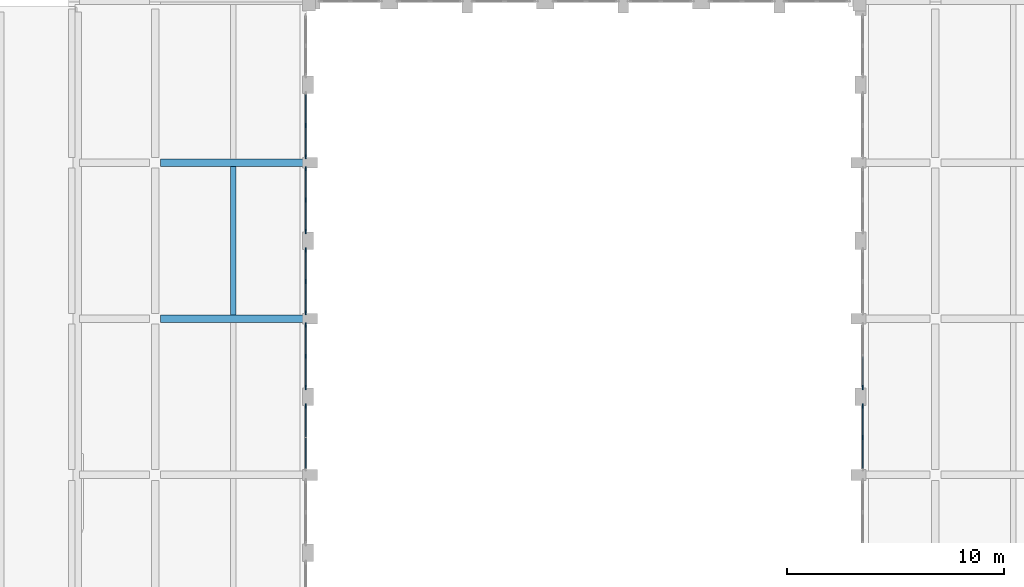
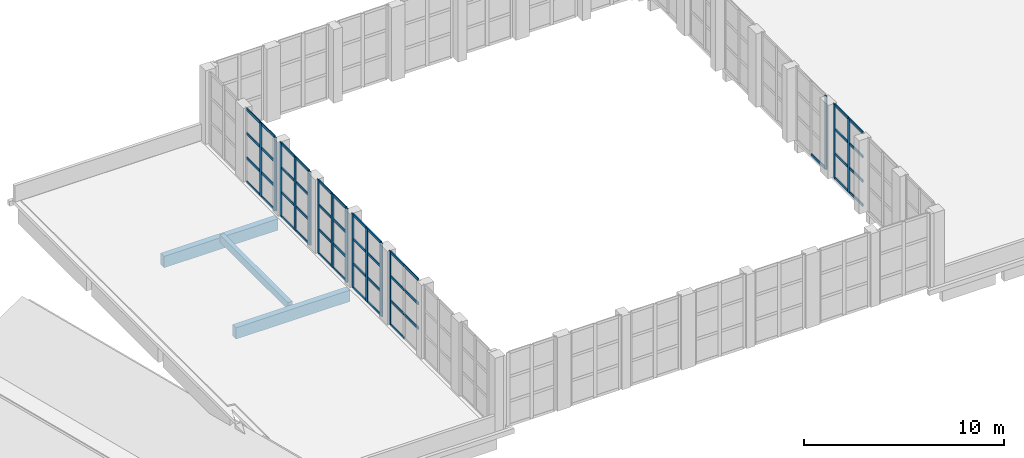
# One storey, part 4 of 44: 63 members, 3 beams, 7 elements without a shape of their own.
"""IFC4 building model written with IfcOpenShell, lengths in metres."""

import ifcopenshell
import ifcopenshell.guid

model = None  # the IFC model being written
_history = None  # IfcOwnerHistory: only IFC2X3 demands one
_inside = {}  # id of a spatial element -> (the spatial element, [elements in it])
_under = {}  # id of a project, library or spatial element -> (it, [spatial elements below it])
_declared = {}  # id of a project -> (the project, [libraries it declares])
_typed = {}  # id of a type object -> (the type object, [elements of that type])
_made_of = {}  # id of a material, layer set ... -> (it, [elements and type objects made of it])


def new_model(schema):
    """Start an empty IFC model of exactly this schema.

    Asked for "IFC4X3", IfcOpenShell would pick the latest addendum, in which some entities
    have other attributes; the version numbers below select the first issue.
    IFC2X3 requires an IfcOwnerHistory on every rooted entity: one is made here for all.
    """
    global model, _history
    if schema == "IFC4X3":
        model = ifcopenshell.file(schema_version=(4, 3, 0, 0))
    else:
        model = ifcopenshell.file(schema=schema)
    _inside.clear()
    _under.clear()
    _declared.clear()
    _typed.clear()
    _made_of.clear()
    _history = None
    if model.schema == "IFC2X3":
        org = make("IfcOrganization", Name="unknown")
        user = make(
            "IfcPersonAndOrganization",
            ThePerson=make("IfcPerson", FamilyName="unknown"),
            TheOrganization=org,
        )
        app = make(
            "IfcApplication",
            ApplicationDeveloper=org,
            Version="unknown",
            ApplicationFullName="unknown",
            ApplicationIdentifier="unknown",
        )
        _history = make(
            "IfcOwnerHistory",
            OwningUser=user,
            OwningApplication=app,
            ChangeAction="ADDED",
            CreationDate=0,
        )
    return model


def make(cls, **values):
    """One entity of the class cls with the attributes given. An attribute that is None is left unset."""
    return model.create_entity(
        cls, **{name: value for name, value in values.items() if value is not None}
    )


def rooted(cls, **values):
    """An entity with a GlobalId (a new one), such as an element, a storey or a relation."""
    return make(cls, GlobalId=ifcopenshell.guid.new(), OwnerHistory=_history, **values)


def si_unit(unit_type, name, prefix=None):
    """IfcSIUnit, for example si_unit("LENGTHUNIT", "METRE", prefix="MILLI")."""
    return make("IfcSIUnit", UnitType=unit_type, Prefix=prefix, Name=name)


def assignment(units):
    """IfcUnitAssignment: the units of a project."""
    return None if units is None else make("IfcUnitAssignment", Units=units)


def point(xyz):
    """IfcCartesianPoint."""
    return None if xyz is None else make("IfcCartesianPoint", Coordinates=xyz)


def direction(xyz):
    """IfcDirection."""
    return None if xyz is None else make("IfcDirection", DirectionRatios=xyz)


def frame(location, z_axis=None, x_axis=None):
    """IfcAxis2Placement3D, a coordinate frame: its origin and axes. An axis left out is left unset."""
    return make(
        "IfcAxis2Placement3D",
        Location=point(location),
        Axis=direction(z_axis),
        RefDirection=direction(x_axis),
    )


def frame_2d(location, x_axis=None):
    """IfcAxis2Placement2D, a coordinate frame in the plane: its origin and x axis."""
    return make(
        "IfcAxis2Placement2D", Location=point(location), RefDirection=direction(x_axis)
    )


def origin():
    """The frame at (0, 0, 0) with its axes left unset."""
    return frame((0.0, 0.0, 0.0))


def origin_2d():
    """The frame at (0, 0) in the plane with its x axis left unset."""
    return frame_2d((0.0, 0.0))


def place(relative_to, where):
    """IfcLocalPlacement: puts the frame where relative to a parent placement (None: the world)."""
    return make(
        "IfcLocalPlacement", PlacementRelTo=relative_to, RelativePlacement=where
    )


def context(
    kind, dimensions, precision=None, world=None, true_north=None, identifier=None
):
    """IfcGeometricRepresentationContext, for example the 3D "Model" context."""
    return make(
        "IfcGeometricRepresentationContext",
        ContextIdentifier=identifier,
        ContextType=kind,
        CoordinateSpaceDimension=dimensions,
        Precision=precision,
        WorldCoordinateSystem=world,
        TrueNorth=true_north,
    )


def subcontext(parent, identifier, kind, view, scale=None):
    """IfcGeometricRepresentationSubContext, for example "Body" below "Model"."""
    return make(
        "IfcGeometricRepresentationSubContext",
        ContextIdentifier=identifier,
        ContextType=kind,
        ParentContext=parent,
        TargetScale=scale,
        TargetView=view,
    )


def project(units=None, contexts=None):
    """IfcProject with its units and contexts."""
    return rooted(
        "IfcProject",
        Name="project",
        RepresentationContexts=contexts,
        UnitsInContext=assignment(units),
    )


def spatial(cls, under=None, at=None, **own):
    """A site, building, storey or space (cls), placed at a placement, below another one or the project."""
    s = rooted(cls, ObjectPlacement=at, **own)
    if under is not None:
        _under.setdefault(under.id(), (under, []))[1].append(s)
    return s


def profile(cls, at=None, kind="AREA", **sizes):
    """A parametric profile (cls). Its sizes go by their IFC names, for example OverallWidth=200.0."""
    return make(cls, ProfileType=kind, Position=at, **sizes)


def rectangle(**sizes):
    """IfcRectangleProfileDef."""
    return profile("IfcRectangleProfileDef", **sizes)


def extrude(swept, where, along, depth):
    """IfcExtrudedAreaSolid: the profile swept, set in the frame where, extruded along a direction by depth."""
    return make(
        "IfcExtrudedAreaSolid",
        SweptArea=swept,
        Position=where,
        ExtrudedDirection=direction(along),
        Depth=depth,
    )


def shape(context_of_items, identifier, shape_type, items):
    """IfcShapeRepresentation: the items that make up one representation, for example the "Body"."""
    return make(
        "IfcShapeRepresentation",
        ContextOfItems=context_of_items,
        RepresentationIdentifier=identifier,
        RepresentationType=shape_type,
        Items=items,
    )


def material(Name=None, Category=None):
    """IfcMaterial."""
    return make("IfcMaterial", Name=Name, Category=Category)


def layer(
    of_material, thickness, ventilated=None, Name=None, Category=None, Priority=None
):
    """IfcMaterialLayer: one layer of a wall or slab, of a material (None: an air gap)."""
    return make(
        "IfcMaterialLayer",
        Material=of_material,
        LayerThickness=thickness,
        IsVentilated=ventilated,
        Name=Name,
        Category=Category,
        Priority=Priority,
    )


def layer_set(layers, Name=None):
    """IfcMaterialLayerSet."""
    return make("IfcMaterialLayerSet", MaterialLayers=layers, LayerSetName=Name)


def material_profile(
    of_material, cross_section, Name=None, Category=None, Priority=None
):
    """IfcMaterialProfile: a cross section and its material."""
    return make(
        "IfcMaterialProfile",
        Name=Name,
        Material=of_material,
        Profile=cross_section,
        Priority=Priority,
        Category=Category,
    )


def profile_set(profiles, Name=None, composite=None):
    """IfcMaterialProfileSet."""
    return make(
        "IfcMaterialProfileSet",
        Name=Name,
        MaterialProfiles=profiles,
        CompositeProfile=composite,
    )


def made_of(thing, what):
    """Note that an element or type object is made of a material, layer set ...; save() writes the relation."""
    if what is not None:
        _made_of.setdefault(what.id(), (what, []))[1].append(thing)
    return thing


def type_object(cls, material=None, **own):
    """A type object (cls), such as IfcWallType, which elements share."""
    return made_of(rooted(cls, **own), material)


def element(
    cls,
    number,
    at=None,
    inside=None,
    cuts=None,
    type_object=None,
    material=None,
    context=None,
    identifier="Body",
    shape_type=None,
    held_by="IfcProductDefinitionShape",
    body=None,
    shapes=None,
    **own,
):
    """One element of the class cls, such as IfcWall. Its Tag is "e" and its number.

    at: its placement. inside: the storey or other place that contains it. cuts: it is an
    opening in that element (IfcRelVoidsElement). A single representation is given by context,
    identifier, shape_type and body (its items); several are given by shapes. held_by: the class
    of the entity that holds the representations. save() writes the other relations.
    """
    e = rooted(cls, Tag="e%d" % number, ObjectPlacement=at, **own)
    if body is not None:
        shapes = [shape(context, identifier, shape_type, body)]
    if shapes is not None:
        e.Representation = make(held_by, Representations=shapes)
    if inside is not None:
        _inside.setdefault(inside.id(), (inside, []))[1].append(e)
    if cuts is not None:
        rooted(
            "IfcRelVoidsElement", RelatingBuildingElement=cuts, RelatedOpeningElement=e
        )
    if type_object is not None:
        _typed.setdefault(type_object.id(), (type_object, []))[1].append(e)
    return made_of(e, material)


def aggregate(whole, parts):
    """IfcRelAggregates: a whole, such as a stair, and the parts it consists of."""
    return rooted("IfcRelAggregates", RelatingObject=whole, RelatedObjects=parts)


def save(model, path):
    """Write the relations noted so far, then the file.

    IfcRelAggregates (storeys below a building ...), IfcRelContainedInSpatialStructure (elements
    in a storey), IfcRelDefinesByType, IfcRelAssociatesMaterial and IfcRelDeclares: one each for
    every whole, place, type object, material and project.
    """
    for whole, parts in _under.values():
        aggregate(whole, parts)
    for where, things in _inside.values():
        rooted(
            "IfcRelContainedInSpatialStructure",
            RelatedElements=things,
            RelatingStructure=where,
        )
    for kind, things in _typed.values():
        rooted("IfcRelDefinesByType", RelatedObjects=things, RelatingType=kind)
    for what, things in _made_of.values():
        rooted("IfcRelAssociatesMaterial", RelatedObjects=things, RelatingMaterial=what)
    for by, libraries in _declared.values():
        rooted("IfcRelDeclares", RelatingContext=by, RelatedDefinitions=libraries)
    model.write(path)


model = new_model("IFC4")

# Units and contexts
model_context = context("Model", 3, precision=1e-05, world=origin(), true_north=direction((0.0, 1.0)))
body_context = subcontext(model_context, "Body", "Model", "MODEL_VIEW")
ifc_project = project(units=[si_unit("LENGTHUNIT", "METRE"), si_unit("AREAUNIT", "SQUARE_METRE"), si_unit("VOLUMEUNIT", "CUBIC_METRE"), si_unit("PLANEANGLEUNIT", "RADIAN"), si_unit("MASSUNIT", "GRAM", prefix="KILO")], contexts=[model_context])

# Site, building, storey
site_placement = place(None, origin())
site = spatial("IfcSite", under=ifc_project, at=site_placement, CompositionType="ELEMENT")
building_placement = place(site_placement, origin())
building = spatial("IfcBuilding", under=site, at=building_placement, Name="Ussher Court Research Institute", CompositionType="ELEMENT")
storey_placement = place(building_placement, frame((0.0, 0.0, 18.89990234375)))
storey = spatial("IfcBuildingStorey", under=building, at=storey_placement, Name="L04", CompositionType="ELEMENT", Elevation=18.89990234375)

# Curtain wall, member
ifc_material_1 = material(Name="Bronze anodised aluminium with low-e glass", Category="aluminium")
ifc_layer = layer(ifc_material_1, 0.159912109375)
ifc_layer_set = layer_set([ifc_layer], Name="Bronze anodised aluminium with low-e glass")
curtain_wall_type = type_object("IfcCurtainWallType", Name="Curtain wall atrium clerestory tall glazing", PredefinedType="NOTDEFINED", material=ifc_layer_set)
curtain_wall_1_placement = place(storey_placement, origin())
curtain_wall_1 = element("IfcCurtainWall", 1, at=curtain_wall_1_placement, inside=storey, type_object=curtain_wall_type, Name="Curtain wall CW3 L04", PredefinedType="NOTDEFINED")
ifc_material_2 = material(Name="Bronze anodised aluminium", Category="aluminium")
ifc_material_profile_1 = material_profile(ifc_material_2, rectangle(XDim=0.06005859375, YDim=0.199951171875, at=origin_2d()), Name="Mullion 60x200")
ifc_profile_set_1 = profile_set([ifc_material_profile_1], Name="Bronze anodised aluminium")
member_type_1 = type_object("IfcMemberType", Name="Mullion 60x200", PredefinedType="MULLION", material=ifc_profile_set_1)
member_1_placement = place(storey_placement, frame((64.449951171875, 22.429931640625, 0.0), z_axis=(0.0, 0.0, 1.0), x_axis=(1.0, 0.0, 0.0)))
member_1 = element("IfcMember", 2, at=member_1_placement, type_object=member_type_1, Name="CW3 mullion 3", PredefinedType="MULLION", context=body_context, shape_type="SweptSolid", body=[
    extrude(rectangle(XDim=0.06005859375, YDim=0.199951171875, at=origin_2d()), origin(), (0.0, 0.0, 1.0), 4.5),
])

# Curtain wall, members
curtain_wall_2_placement = place(storey_placement, origin())
curtain_wall_2 = element("IfcCurtainWall", 3, at=curtain_wall_2_placement, inside=storey, type_object=curtain_wall_type, Name="Curtain wall CW3 L04", PredefinedType="NOTDEFINED")
member_2_placement = place(storey_placement, frame((64.449951171875, 21.570068359375, 0.0), z_axis=(0.0, 0.0, 1.0), x_axis=(1.0, 0.0, 0.0)))
member_2 = element("IfcMember", 4, at=member_2_placement, type_object=member_type_1, Name="CW3 mullion 1", PredefinedType="MULLION", context=body_context, shape_type="SweptSolid", body=[
    extrude(rectangle(XDim=0.06005859375, YDim=0.199951171875, at=origin_2d()), origin(), (0.0, 0.0, 1.0), 4.5),
])
member_3_placement = place(storey_placement, frame((64.449951171875, 20.125, 0.0), z_axis=(0.0, 0.0, 1.0), x_axis=(1.0, 0.0, 0.0)))
member_3 = element("IfcMember", 5, at=member_3_placement, type_object=member_type_1, Name="CW3 mullion 2", PredefinedType="MULLION", context=body_context, shape_type="SweptSolid", body=[
    extrude(rectangle(XDim=0.06005859375, YDim=0.199951171875, at=origin_2d()), origin(), (0.0, 0.0, 1.0), 4.5),
])

# Curtain wall, member
curtain_wall_3_placement = place(storey_placement, origin())
curtain_wall_3 = element("IfcCurtainWall", 6, at=curtain_wall_3_placement, inside=storey, type_object=curtain_wall_type, Name="Curtain wall CW3 L04", PredefinedType="NOTDEFINED")
member_4_placement = place(storey_placement, frame((38.75, 21.570068359375, 0.0), z_axis=(0.0, 0.0, 1.0), x_axis=(-1.0, 0.0, 0.0)))
member_4 = element("IfcMember", 7, at=member_4_placement, type_object=member_type_1, Name="CW3 mullion 3", PredefinedType="MULLION", context=body_context, shape_type="SweptSolid", body=[
    extrude(rectangle(XDim=0.06005859375, YDim=0.199951171875, at=origin_2d()), origin(), (0.0, 0.0, 1.0), 4.5),
])

# Curtain wall, members
curtain_wall_4_placement = place(storey_placement, origin())
curtain_wall_4 = element("IfcCurtainWall", 8, at=curtain_wall_4_placement, inside=storey, type_object=curtain_wall_type, Name="Curtain wall CW3 L04", PredefinedType="NOTDEFINED")
member_5_placement = place(storey_placement, frame((38.75, 22.429931640625, 0.0), z_axis=(0.0, 0.0, 1.0), x_axis=(-1.0, 0.0, 0.0)))
member_5 = element("IfcMember", 9, at=member_5_placement, type_object=member_type_1, Name="CW3 mullion 1", PredefinedType="MULLION", context=body_context, shape_type="SweptSolid", body=[
    extrude(rectangle(XDim=0.06005859375, YDim=0.199951171875, at=origin_2d()), origin(), (0.0, 0.0, 1.0), 4.5),
])
member_6_placement = place(storey_placement, frame((38.75, 23.875, 0.0), z_axis=(0.0, 0.0, 1.0), x_axis=(-1.0, 0.0, 0.0)))
member_6 = element("IfcMember", 10, at=member_6_placement, type_object=member_type_1, Name="CW3 mullion 2", PredefinedType="MULLION", context=body_context, shape_type="SweptSolid", body=[
    extrude(rectangle(XDim=0.06005859375, YDim=0.199951171875, at=origin_2d()), origin(), (0.0, 0.0, 1.0), 4.5),
])
member_7_placement = place(storey_placement, frame((38.75, 25.320068359375, 0.0), z_axis=(0.0, 0.0, 1.0), x_axis=(-1.0, 0.0, 0.0)))
member_7 = element("IfcMember", 11, at=member_7_placement, type_object=member_type_1, Name="CW3 mullion 3", PredefinedType="MULLION", context=body_context, shape_type="SweptSolid", body=[
    extrude(rectangle(XDim=0.06005859375, YDim=0.199951171875, at=origin_2d()), origin(), (0.0, 0.0, 1.0), 4.5),
])

curtain_wall_5_placement = place(storey_placement, origin())
curtain_wall_5 = element("IfcCurtainWall", 12, at=curtain_wall_5_placement, inside=storey, type_object=curtain_wall_type, Name="Curtain wall CW3 L04", PredefinedType="NOTDEFINED")
member_8_placement = place(storey_placement, frame((38.75, 25.8798828125, 0.0), z_axis=(0.0, 0.0, 1.0), x_axis=(-1.0, 0.0, 0.0)))
member_8 = element("IfcMember", 13, at=member_8_placement, type_object=member_type_1, Name="CW3 mullion 1", PredefinedType="MULLION", context=body_context, shape_type="SweptSolid", body=[
    extrude(rectangle(XDim=0.06005859375, YDim=0.199951171875, at=origin_2d()), origin(), (0.0, 0.0, 1.0), 4.5),
])
member_9_placement = place(storey_placement, frame((38.75, 27.324951171875, 0.0), z_axis=(0.0, 0.0, 1.0), x_axis=(-1.0, 0.0, 0.0)))
member_9 = element("IfcMember", 14, at=member_9_placement, type_object=member_type_1, Name="CW3 mullion 2", PredefinedType="MULLION", context=body_context, shape_type="SweptSolid", body=[
    extrude(rectangle(XDim=0.06005859375, YDim=0.199951171875, at=origin_2d()), origin(), (0.0, 0.0, 1.0), 4.5),
])
member_10_placement = place(storey_placement, frame((38.75, 28.77001953125, 0.0), z_axis=(0.0, 0.0, 1.0), x_axis=(-1.0, 0.0, 0.0)))
member_10 = element("IfcMember", 15, at=member_10_placement, type_object=member_type_1, Name="CW3 mullion 3", PredefinedType="MULLION", context=body_context, shape_type="SweptSolid", body=[
    extrude(rectangle(XDim=0.06005859375, YDim=0.199951171875, at=origin_2d()), origin(), (0.0, 0.0, 1.0), 4.5),
])

curtain_wall_6_placement = place(storey_placement, origin())
curtain_wall_6 = element("IfcCurtainWall", 16, at=curtain_wall_6_placement, inside=storey, type_object=curtain_wall_type, Name="Curtain wall CW3 L04", PredefinedType="NOTDEFINED")
member_11_placement = place(storey_placement, frame((38.75, 29.6298828125, 0.0), z_axis=(0.0, 0.0, 1.0), x_axis=(-1.0, 0.0, 0.0)))
member_11 = element("IfcMember", 17, at=member_11_placement, type_object=member_type_1, Name="CW3 mullion 1", PredefinedType="MULLION", context=body_context, shape_type="SweptSolid", body=[
    extrude(rectangle(XDim=0.06005859375, YDim=0.199951171875, at=origin_2d()), origin(), (0.0, 0.0, 1.0), 4.5),
])
member_12_placement = place(storey_placement, frame((38.75, 31.074951171875, 0.0), z_axis=(0.0, 0.0, 1.0), x_axis=(-1.0, 0.0, 0.0)))
member_12 = element("IfcMember", 18, at=member_12_placement, type_object=member_type_1, Name="CW3 mullion 2", PredefinedType="MULLION", context=body_context, shape_type="SweptSolid", body=[
    extrude(rectangle(XDim=0.06005859375, YDim=0.199951171875, at=origin_2d()), origin(), (0.0, 0.0, 1.0), 4.5),
])
member_13_placement = place(storey_placement, frame((38.75, 32.52001953125, 0.0), z_axis=(0.0, 0.0, 1.0), x_axis=(-1.0, 0.0, 0.0)))
member_13 = element("IfcMember", 19, at=member_13_placement, type_object=member_type_1, Name="CW3 mullion 3", PredefinedType="MULLION", context=body_context, shape_type="SweptSolid", body=[
    extrude(rectangle(XDim=0.06005859375, YDim=0.199951171875, at=origin_2d()), origin(), (0.0, 0.0, 1.0), 4.5),
])

curtain_wall_7_placement = place(storey_placement, origin())
curtain_wall_7 = element("IfcCurtainWall", 20, at=curtain_wall_7_placement, inside=storey, type_object=curtain_wall_type, Name="Curtain wall CW3 L04", PredefinedType="NOTDEFINED")
member_14_placement = place(storey_placement, frame((38.75, 33.080078125, 0.0), z_axis=(0.0, 0.0, 1.0), x_axis=(-1.0, 0.0, 0.0)))
member_14 = element("IfcMember", 21, at=member_14_placement, type_object=member_type_1, Name="CW3 mullion 1", PredefinedType="MULLION", context=body_context, shape_type="SweptSolid", body=[
    extrude(rectangle(XDim=0.06005859375, YDim=0.199951171875, at=origin_2d()), origin(), (0.0, 0.0, 1.0), 4.5),
])
member_15_placement = place(storey_placement, frame((38.75, 34.52490234375, 0.0), z_axis=(0.0, 0.0, 1.0), x_axis=(-1.0, 0.0, 0.0)))
member_15 = element("IfcMember", 22, at=member_15_placement, type_object=member_type_1, Name="CW3 mullion 2", PredefinedType="MULLION", context=body_context, shape_type="SweptSolid", body=[
    extrude(rectangle(XDim=0.06005859375, YDim=0.199951171875, at=origin_2d()), origin(), (0.0, 0.0, 1.0), 4.5),
])

# Beams
ifc_material_3 = material(Name="Concrete C35/45", Category="concrete")
ifc_material_profile_2 = material_profile(ifc_material_3, rectangle(XDim=0.25, YDim=0.449951171875, at=origin_2d()), Name="RC 250x450")
ifc_profile_set_2 = profile_set([ifc_material_profile_2], Name="Concrete C35/45")
beam_type_1 = type_object("IfcBeamType", Name="RC 250x450 beam", PredefinedType="BEAM", material=ifc_profile_set_2)
beam_placement = place(storey_placement, frame((35.39990234375, 25.77490234375, -0.224853515625), z_axis=(0.0, 1.0, 0.0), x_axis=(-1.0, 0.0, 0.0)))
element("IfcBeam", 23, at=beam_placement, inside=storey, type_object=beam_type_1, Name="B1 V7 L04-03", PredefinedType="BEAM", context=body_context, shape_type="SweptSolid", body=[
    extrude(rectangle(XDim=0.25, YDim=0.449951171875, at=origin_2d()), origin(), (0.0, 0.0, 1.0), 6.85009765625),
])
ifc_material_4 = material(Name="Concrete C35/45", Category="concrete")
ifc_material_profile_3 = material_profile(ifc_material_4, rectangle(XDim=0.35009765625, YDim=0.699951171875, at=origin_2d()), Name="RC 350x700")
ifc_profile_set_3 = profile_set([ifc_material_profile_3], Name="Concrete C35/45")
beam_type_2 = type_object("IfcBeamType", Name="RC 350x700 beam", PredefinedType="BEAM", material=ifc_profile_set_3)
for number, where, z_axis, x_axis, name in (
    (24, (32.050048828125, 25.60009765625, -0.5498046875), (1.0, 0.0, 0.0), (0.0, 1.0, 0.0), "B16 V7 L04-07"),
    (25, (32.050048828125, 32.800048828125, -0.5498046875), (1.0, 0.0, 0.0), (0.0, 1.0, 0.0), "B16 V7 L04-12"),
):
    element("IfcBeam", number, at=place(storey_placement, frame(where, z_axis=z_axis, x_axis=x_axis)), inside=storey, type_object=beam_type_2, Name=name, PredefinedType="BEAM", context=body_context, shape_type="SweptSolid", body=[
        extrude(rectangle(XDim=0.35009765625, YDim=0.699951171875, at=origin_2d()), origin(), (0.0, 0.0, 1.0), 6.599853515625),
    ])

# Member
ifc_material_5 = material(Name="Bronze anodised aluminium", Category="aluminium")
ifc_material_profile_4 = material_profile(ifc_material_5, rectangle(XDim=0.06005859375, YDim=0.159912109375, at=origin_2d()), Name="Transom 60x160")
ifc_profile_set_4 = profile_set([ifc_material_profile_4], Name="Bronze anodised aluminium")
member_type_2 = type_object("IfcMemberType", Name="Transom 60x160", PredefinedType="USERDEFINED", material=ifc_profile_set_4)
member_16_placement = place(storey_placement, frame((64.449951171875, 23.844970703125, 0.030029296875), z_axis=(0.0, -1.0, 0.0), x_axis=(1.0, 0.0, 0.0)))
member_16 = element("IfcMember", 26, at=member_16_placement, type_object=member_type_2, Name="CW3 transom 2.1", ObjectType="TRANSOM", PredefinedType="USERDEFINED", context=body_context, shape_type="SweptSolid", body=[
    extrude(rectangle(XDim=0.06005859375, YDim=0.159912109375, at=origin_2d()), origin(), (0.0, 0.0, 1.0), 1.385009765625),
])

aggregate(curtain_wall_1, [member_1, member_16])

member_17_placement = place(storey_placement, frame((64.449951171875, 21.5400390625, 0.030029296875), z_axis=(0.0, -1.0, 0.0), x_axis=(1.0, 0.0, 0.0)))
member_17 = element("IfcMember", 27, at=member_17_placement, type_object=member_type_2, Name="CW3 transom 1.1", ObjectType="TRANSOM", PredefinedType="USERDEFINED", context=body_context, shape_type="SweptSolid", body=[
    extrude(rectangle(XDim=0.06005859375, YDim=0.159912109375, at=origin_2d()), origin(), (0.0, 0.0, 1.0), 1.385009765625),
])

member_18_placement = place(storey_placement, frame((64.449951171875, 21.5400390625, 1.5), z_axis=(0.0, -1.0, 0.0), x_axis=(1.0, 0.0, 0.0)))
member_18 = element("IfcMember", 28, at=member_18_placement, type_object=member_type_2, Name="CW3 transom 1.2", ObjectType="TRANSOM", PredefinedType="USERDEFINED", context=body_context, shape_type="SweptSolid", body=[
    extrude(rectangle(XDim=0.06005859375, YDim=0.159912109375, at=origin_2d()), origin(), (0.0, 0.0, 1.0), 1.385009765625),
])

member_19_placement = place(storey_placement, frame((64.449951171875, 21.5400390625, 3.0), z_axis=(0.0, -1.0, 0.0), x_axis=(1.0, 0.0, 0.0)))
member_19 = element("IfcMember", 29, at=member_19_placement, type_object=member_type_2, Name="CW3 transom 1.3", ObjectType="TRANSOM", PredefinedType="USERDEFINED", context=body_context, shape_type="SweptSolid", body=[
    extrude(rectangle(XDim=0.06005859375, YDim=0.159912109375, at=origin_2d()), origin(), (0.0, 0.0, 1.0), 1.385009765625),
])

member_20_placement = place(storey_placement, frame((64.449951171875, 21.5400390625, 4.47021484375), z_axis=(0.0, -1.0, 0.0), x_axis=(1.0, 0.0, 0.0)))
member_20 = element("IfcMember", 30, at=member_20_placement, type_object=member_type_2, Name="CW3 transom 1.4", ObjectType="TRANSOM", PredefinedType="USERDEFINED", context=body_context, shape_type="SweptSolid", body=[
    extrude(rectangle(XDim=0.06005859375, YDim=0.159912109375, at=origin_2d()), origin(), (0.0, 0.0, 1.0), 1.385009765625),
])

member_21_placement = place(storey_placement, frame((64.449951171875, 20.094970703125, 0.030029296875), z_axis=(0.0, -1.0, 0.0), x_axis=(1.0, 0.0, 0.0)))
member_21 = element("IfcMember", 31, at=member_21_placement, type_object=member_type_2, Name="CW3 transom 2.1", ObjectType="TRANSOM", PredefinedType="USERDEFINED", context=body_context, shape_type="SweptSolid", body=[
    extrude(rectangle(XDim=0.06005859375, YDim=0.159912109375, at=origin_2d()), origin(), (0.0, 0.0, 1.0), 1.385009765625),
])

member_22_placement = place(storey_placement, frame((64.449951171875, 20.094970703125, 1.5), z_axis=(0.0, -1.0, 0.0), x_axis=(1.0, 0.0, 0.0)))
member_22 = element("IfcMember", 32, at=member_22_placement, type_object=member_type_2, Name="CW3 transom 2.2", ObjectType="TRANSOM", PredefinedType="USERDEFINED", context=body_context, shape_type="SweptSolid", body=[
    extrude(rectangle(XDim=0.06005859375, YDim=0.159912109375, at=origin_2d()), origin(), (0.0, 0.0, 1.0), 1.385009765625),
])

member_23_placement = place(storey_placement, frame((64.449951171875, 20.094970703125, 3.0), z_axis=(0.0, -1.0, 0.0), x_axis=(1.0, 0.0, 0.0)))
member_23 = element("IfcMember", 33, at=member_23_placement, type_object=member_type_2, Name="CW3 transom 2.3", ObjectType="TRANSOM", PredefinedType="USERDEFINED", context=body_context, shape_type="SweptSolid", body=[
    extrude(rectangle(XDim=0.06005859375, YDim=0.159912109375, at=origin_2d()), origin(), (0.0, 0.0, 1.0), 1.385009765625),
])

member_24_placement = place(storey_placement, frame((64.449951171875, 20.094970703125, 4.47021484375), z_axis=(0.0, -1.0, 0.0), x_axis=(1.0, 0.0, 0.0)))
member_24 = element("IfcMember", 34, at=member_24_placement, type_object=member_type_2, Name="CW3 transom 2.4", ObjectType="TRANSOM", PredefinedType="USERDEFINED", context=body_context, shape_type="SweptSolid", body=[
    extrude(rectangle(XDim=0.06005859375, YDim=0.159912109375, at=origin_2d()), origin(), (0.0, 0.0, 1.0), 1.385009765625),
])

aggregate(curtain_wall_2, [member_2, member_3, member_17, member_18, member_19, member_20, member_21, member_22, member_23, member_24])

member_25_placement = place(storey_placement, frame((38.75, 18.7099609375, 1.5), z_axis=(0.0, 1.0, 0.0), x_axis=(-1.0, 0.0, 0.0)))
member_25 = element("IfcMember", 35, at=member_25_placement, type_object=member_type_2, Name="CW3 transom 1.2", ObjectType="TRANSOM", PredefinedType="USERDEFINED", context=body_context, shape_type="SweptSolid", body=[
    extrude(rectangle(XDim=0.06005859375, YDim=0.159912109375, at=origin_2d()), origin(), (0.0, 0.0, 1.0), 1.385009765625),
])

member_26_placement = place(storey_placement, frame((38.75, 18.7099609375, 3.0), z_axis=(0.0, 1.0, 0.0), x_axis=(-1.0, 0.0, 0.0)))
member_26 = element("IfcMember", 36, at=member_26_placement, type_object=member_type_2, Name="CW3 transom 1.3", ObjectType="TRANSOM", PredefinedType="USERDEFINED", context=body_context, shape_type="SweptSolid", body=[
    extrude(rectangle(XDim=0.06005859375, YDim=0.159912109375, at=origin_2d()), origin(), (0.0, 0.0, 1.0), 1.385009765625),
])

member_27_placement = place(storey_placement, frame((38.75, 18.7099609375, 4.47021484375), z_axis=(0.0, 1.0, 0.0), x_axis=(-1.0, 0.0, 0.0)))
member_27 = element("IfcMember", 37, at=member_27_placement, type_object=member_type_2, Name="CW3 transom 1.4", ObjectType="TRANSOM", PredefinedType="USERDEFINED", context=body_context, shape_type="SweptSolid", body=[
    extrude(rectangle(XDim=0.06005859375, YDim=0.159912109375, at=origin_2d()), origin(), (0.0, 0.0, 1.0), 1.385009765625),
])

member_28_placement = place(storey_placement, frame((38.75, 20.155029296875, 0.030029296875), z_axis=(0.0, 1.0, 0.0), x_axis=(-1.0, 0.0, 0.0)))
member_28 = element("IfcMember", 38, at=member_28_placement, type_object=member_type_2, Name="CW3 transom 2.1", ObjectType="TRANSOM", PredefinedType="USERDEFINED", context=body_context, shape_type="SweptSolid", body=[
    extrude(rectangle(XDim=0.06005859375, YDim=0.159912109375, at=origin_2d()), origin(), (0.0, 0.0, 1.0), 1.385009765625),
])

member_29_placement = place(storey_placement, frame((38.75, 20.155029296875, 1.5), z_axis=(0.0, 1.0, 0.0), x_axis=(-1.0, 0.0, 0.0)))
member_29 = element("IfcMember", 39, at=member_29_placement, type_object=member_type_2, Name="CW3 transom 2.2", ObjectType="TRANSOM", PredefinedType="USERDEFINED", context=body_context, shape_type="SweptSolid", body=[
    extrude(rectangle(XDim=0.06005859375, YDim=0.159912109375, at=origin_2d()), origin(), (0.0, 0.0, 1.0), 1.385009765625),
])

member_30_placement = place(storey_placement, frame((38.75, 20.155029296875, 3.0), z_axis=(0.0, 1.0, 0.0), x_axis=(-1.0, 0.0, 0.0)))
member_30 = element("IfcMember", 40, at=member_30_placement, type_object=member_type_2, Name="CW3 transom 2.3", ObjectType="TRANSOM", PredefinedType="USERDEFINED", context=body_context, shape_type="SweptSolid", body=[
    extrude(rectangle(XDim=0.06005859375, YDim=0.159912109375, at=origin_2d()), origin(), (0.0, 0.0, 1.0), 1.385009765625),
])

member_31_placement = place(storey_placement, frame((38.75, 20.155029296875, 4.47021484375), z_axis=(0.0, 1.0, 0.0), x_axis=(-1.0, 0.0, 0.0)))
member_31 = element("IfcMember", 41, at=member_31_placement, type_object=member_type_2, Name="CW3 transom 2.4", ObjectType="TRANSOM", PredefinedType="USERDEFINED", context=body_context, shape_type="SweptSolid", body=[
    extrude(rectangle(XDim=0.06005859375, YDim=0.159912109375, at=origin_2d()), origin(), (0.0, 0.0, 1.0), 1.385009765625),
])

aggregate(curtain_wall_3, [member_4, member_25, member_26, member_27, member_28, member_29, member_30, member_31])

member_32_placement = place(storey_placement, frame((38.75, 22.4599609375, 0.030029296875), z_axis=(0.0, 1.0, 0.0), x_axis=(-1.0, 0.0, 0.0)))
member_32 = element("IfcMember", 42, at=member_32_placement, type_object=member_type_2, Name="CW3 transom 1.1", ObjectType="TRANSOM", PredefinedType="USERDEFINED", context=body_context, shape_type="SweptSolid", body=[
    extrude(rectangle(XDim=0.06005859375, YDim=0.159912109375, at=origin_2d()), origin(), (0.0, 0.0, 1.0), 1.385009765625),
])

member_33_placement = place(storey_placement, frame((38.75, 22.4599609375, 1.5), z_axis=(0.0, 1.0, 0.0), x_axis=(-1.0, 0.0, 0.0)))
member_33 = element("IfcMember", 43, at=member_33_placement, type_object=member_type_2, Name="CW3 transom 1.2", ObjectType="TRANSOM", PredefinedType="USERDEFINED", context=body_context, shape_type="SweptSolid", body=[
    extrude(rectangle(XDim=0.06005859375, YDim=0.159912109375, at=origin_2d()), origin(), (0.0, 0.0, 1.0), 1.385009765625),
])

member_34_placement = place(storey_placement, frame((38.75, 22.4599609375, 3.0), z_axis=(0.0, 1.0, 0.0), x_axis=(-1.0, 0.0, 0.0)))
member_34 = element("IfcMember", 44, at=member_34_placement, type_object=member_type_2, Name="CW3 transom 1.3", ObjectType="TRANSOM", PredefinedType="USERDEFINED", context=body_context, shape_type="SweptSolid", body=[
    extrude(rectangle(XDim=0.06005859375, YDim=0.159912109375, at=origin_2d()), origin(), (0.0, 0.0, 1.0), 1.385009765625),
])

member_35_placement = place(storey_placement, frame((38.75, 22.4599609375, 4.47021484375), z_axis=(0.0, 1.0, 0.0), x_axis=(-1.0, 0.0, 0.0)))
member_35 = element("IfcMember", 45, at=member_35_placement, type_object=member_type_2, Name="CW3 transom 1.4", ObjectType="TRANSOM", PredefinedType="USERDEFINED", context=body_context, shape_type="SweptSolid", body=[
    extrude(rectangle(XDim=0.06005859375, YDim=0.159912109375, at=origin_2d()), origin(), (0.0, 0.0, 1.0), 1.385009765625),
])

member_36_placement = place(storey_placement, frame((38.75, 23.905029296875, 0.030029296875), z_axis=(0.0, 1.0, 0.0), x_axis=(-1.0, 0.0, 0.0)))
member_36 = element("IfcMember", 46, at=member_36_placement, type_object=member_type_2, Name="CW3 transom 2.1", ObjectType="TRANSOM", PredefinedType="USERDEFINED", context=body_context, shape_type="SweptSolid", body=[
    extrude(rectangle(XDim=0.06005859375, YDim=0.159912109375, at=origin_2d()), origin(), (0.0, 0.0, 1.0), 1.385009765625),
])

member_37_placement = place(storey_placement, frame((38.75, 23.905029296875, 1.5), z_axis=(0.0, 1.0, 0.0), x_axis=(-1.0, 0.0, 0.0)))
member_37 = element("IfcMember", 47, at=member_37_placement, type_object=member_type_2, Name="CW3 transom 2.2", ObjectType="TRANSOM", PredefinedType="USERDEFINED", context=body_context, shape_type="SweptSolid", body=[
    extrude(rectangle(XDim=0.06005859375, YDim=0.159912109375, at=origin_2d()), origin(), (0.0, 0.0, 1.0), 1.385009765625),
])

member_38_placement = place(storey_placement, frame((38.75, 23.905029296875, 3.0), z_axis=(0.0, 1.0, 0.0), x_axis=(-1.0, 0.0, 0.0)))
member_38 = element("IfcMember", 48, at=member_38_placement, type_object=member_type_2, Name="CW3 transom 2.3", ObjectType="TRANSOM", PredefinedType="USERDEFINED", context=body_context, shape_type="SweptSolid", body=[
    extrude(rectangle(XDim=0.06005859375, YDim=0.159912109375, at=origin_2d()), origin(), (0.0, 0.0, 1.0), 1.385009765625),
])

member_39_placement = place(storey_placement, frame((38.75, 23.905029296875, 4.47021484375), z_axis=(0.0, 1.0, 0.0), x_axis=(-1.0, 0.0, 0.0)))
member_39 = element("IfcMember", 49, at=member_39_placement, type_object=member_type_2, Name="CW3 transom 2.4", ObjectType="TRANSOM", PredefinedType="USERDEFINED", context=body_context, shape_type="SweptSolid", body=[
    extrude(rectangle(XDim=0.06005859375, YDim=0.159912109375, at=origin_2d()), origin(), (0.0, 0.0, 1.0), 1.385009765625),
])

aggregate(curtain_wall_4, [member_5, member_6, member_7, member_32, member_33, member_34, member_35, member_36, member_37, member_38, member_39])

member_40_placement = place(storey_placement, frame((38.75, 25.909912109375, 0.030029296875), z_axis=(0.0, 1.0, 0.0), x_axis=(-1.0, 0.0, 0.0)))
member_40 = element("IfcMember", 50, at=member_40_placement, type_object=member_type_2, Name="CW3 transom 1.1", ObjectType="TRANSOM", PredefinedType="USERDEFINED", context=body_context, shape_type="SweptSolid", body=[
    extrude(rectangle(XDim=0.06005859375, YDim=0.159912109375, at=origin_2d()), origin(), (0.0, 0.0, 1.0), 1.385009765625),
])

member_41_placement = place(storey_placement, frame((38.75, 25.909912109375, 1.5), z_axis=(0.0, 1.0, 0.0), x_axis=(-1.0, 0.0, 0.0)))
member_41 = element("IfcMember", 51, at=member_41_placement, type_object=member_type_2, Name="CW3 transom 1.2", ObjectType="TRANSOM", PredefinedType="USERDEFINED", context=body_context, shape_type="SweptSolid", body=[
    extrude(rectangle(XDim=0.06005859375, YDim=0.159912109375, at=origin_2d()), origin(), (0.0, 0.0, 1.0), 1.385009765625),
])

member_42_placement = place(storey_placement, frame((38.75, 25.909912109375, 3.0), z_axis=(0.0, 1.0, 0.0), x_axis=(-1.0, 0.0, 0.0)))
member_42 = element("IfcMember", 52, at=member_42_placement, type_object=member_type_2, Name="CW3 transom 1.3", ObjectType="TRANSOM", PredefinedType="USERDEFINED", context=body_context, shape_type="SweptSolid", body=[
    extrude(rectangle(XDim=0.06005859375, YDim=0.159912109375, at=origin_2d()), origin(), (0.0, 0.0, 1.0), 1.385009765625),
])

member_43_placement = place(storey_placement, frame((38.75, 25.909912109375, 4.47021484375), z_axis=(0.0, 1.0, 0.0), x_axis=(-1.0, 0.0, 0.0)))
member_43 = element("IfcMember", 53, at=member_43_placement, type_object=member_type_2, Name="CW3 transom 1.4", ObjectType="TRANSOM", PredefinedType="USERDEFINED", context=body_context, shape_type="SweptSolid", body=[
    extrude(rectangle(XDim=0.06005859375, YDim=0.159912109375, at=origin_2d()), origin(), (0.0, 0.0, 1.0), 1.385009765625),
])

member_44_placement = place(storey_placement, frame((38.75, 27.35498046875, 0.030029296875), z_axis=(0.0, 1.0, 0.0), x_axis=(-1.0, 0.0, 0.0)))
member_44 = element("IfcMember", 54, at=member_44_placement, type_object=member_type_2, Name="CW3 transom 2.1", ObjectType="TRANSOM", PredefinedType="USERDEFINED", context=body_context, shape_type="SweptSolid", body=[
    extrude(rectangle(XDim=0.06005859375, YDim=0.159912109375, at=origin_2d()), origin(), (0.0, 0.0, 1.0), 1.385009765625),
])

member_45_placement = place(storey_placement, frame((38.75, 27.35498046875, 1.5), z_axis=(0.0, 1.0, 0.0), x_axis=(-1.0, 0.0, 0.0)))
member_45 = element("IfcMember", 55, at=member_45_placement, type_object=member_type_2, Name="CW3 transom 2.2", ObjectType="TRANSOM", PredefinedType="USERDEFINED", context=body_context, shape_type="SweptSolid", body=[
    extrude(rectangle(XDim=0.06005859375, YDim=0.159912109375, at=origin_2d()), origin(), (0.0, 0.0, 1.0), 1.385009765625),
])

member_46_placement = place(storey_placement, frame((38.75, 27.35498046875, 3.0), z_axis=(0.0, 1.0, 0.0), x_axis=(-1.0, 0.0, 0.0)))
member_46 = element("IfcMember", 56, at=member_46_placement, type_object=member_type_2, Name="CW3 transom 2.3", ObjectType="TRANSOM", PredefinedType="USERDEFINED", context=body_context, shape_type="SweptSolid", body=[
    extrude(rectangle(XDim=0.06005859375, YDim=0.159912109375, at=origin_2d()), origin(), (0.0, 0.0, 1.0), 1.385009765625),
])

member_47_placement = place(storey_placement, frame((38.75, 27.35498046875, 4.47021484375), z_axis=(0.0, 1.0, 0.0), x_axis=(-1.0, 0.0, 0.0)))
member_47 = element("IfcMember", 57, at=member_47_placement, type_object=member_type_2, Name="CW3 transom 2.4", ObjectType="TRANSOM", PredefinedType="USERDEFINED", context=body_context, shape_type="SweptSolid", body=[
    extrude(rectangle(XDim=0.06005859375, YDim=0.159912109375, at=origin_2d()), origin(), (0.0, 0.0, 1.0), 1.385009765625),
])

aggregate(curtain_wall_5, [member_8, member_9, member_10, member_40, member_41, member_42, member_43, member_44, member_45, member_46, member_47])

member_48_placement = place(storey_placement, frame((38.75, 29.659912109375, 0.030029296875), z_axis=(0.0, 1.0, 0.0), x_axis=(-1.0, 0.0, 0.0)))
member_48 = element("IfcMember", 58, at=member_48_placement, type_object=member_type_2, Name="CW3 transom 1.1", ObjectType="TRANSOM", PredefinedType="USERDEFINED", context=body_context, shape_type="SweptSolid", body=[
    extrude(rectangle(XDim=0.06005859375, YDim=0.159912109375, at=origin_2d()), origin(), (0.0, 0.0, 1.0), 1.385009765625),
])

member_49_placement = place(storey_placement, frame((38.75, 29.659912109375, 1.5), z_axis=(0.0, 1.0, 0.0), x_axis=(-1.0, 0.0, 0.0)))
member_49 = element("IfcMember", 59, at=member_49_placement, type_object=member_type_2, Name="CW3 transom 1.2", ObjectType="TRANSOM", PredefinedType="USERDEFINED", context=body_context, shape_type="SweptSolid", body=[
    extrude(rectangle(XDim=0.06005859375, YDim=0.159912109375, at=origin_2d()), origin(), (0.0, 0.0, 1.0), 1.385009765625),
])

member_50_placement = place(storey_placement, frame((38.75, 29.659912109375, 3.0), z_axis=(0.0, 1.0, 0.0), x_axis=(-1.0, 0.0, 0.0)))
member_50 = element("IfcMember", 60, at=member_50_placement, type_object=member_type_2, Name="CW3 transom 1.3", ObjectType="TRANSOM", PredefinedType="USERDEFINED", context=body_context, shape_type="SweptSolid", body=[
    extrude(rectangle(XDim=0.06005859375, YDim=0.159912109375, at=origin_2d()), origin(), (0.0, 0.0, 1.0), 1.385009765625),
])

member_51_placement = place(storey_placement, frame((38.75, 29.659912109375, 4.47021484375), z_axis=(0.0, 1.0, 0.0), x_axis=(-1.0, 0.0, 0.0)))
member_51 = element("IfcMember", 61, at=member_51_placement, type_object=member_type_2, Name="CW3 transom 1.4", ObjectType="TRANSOM", PredefinedType="USERDEFINED", context=body_context, shape_type="SweptSolid", body=[
    extrude(rectangle(XDim=0.06005859375, YDim=0.159912109375, at=origin_2d()), origin(), (0.0, 0.0, 1.0), 1.385009765625),
])

member_52_placement = place(storey_placement, frame((38.75, 31.10498046875, 0.030029296875), z_axis=(0.0, 1.0, 0.0), x_axis=(-1.0, 0.0, 0.0)))
member_52 = element("IfcMember", 62, at=member_52_placement, type_object=member_type_2, Name="CW3 transom 2.1", ObjectType="TRANSOM", PredefinedType="USERDEFINED", context=body_context, shape_type="SweptSolid", body=[
    extrude(rectangle(XDim=0.06005859375, YDim=0.159912109375, at=origin_2d()), origin(), (0.0, 0.0, 1.0), 1.385009765625),
])

member_53_placement = place(storey_placement, frame((38.75, 31.10498046875, 1.5), z_axis=(0.0, 1.0, 0.0), x_axis=(-1.0, 0.0, 0.0)))
member_53 = element("IfcMember", 63, at=member_53_placement, type_object=member_type_2, Name="CW3 transom 2.2", ObjectType="TRANSOM", PredefinedType="USERDEFINED", context=body_context, shape_type="SweptSolid", body=[
    extrude(rectangle(XDim=0.06005859375, YDim=0.159912109375, at=origin_2d()), origin(), (0.0, 0.0, 1.0), 1.385009765625),
])

member_54_placement = place(storey_placement, frame((38.75, 31.10498046875, 3.0), z_axis=(0.0, 1.0, 0.0), x_axis=(-1.0, 0.0, 0.0)))
member_54 = element("IfcMember", 64, at=member_54_placement, type_object=member_type_2, Name="CW3 transom 2.3", ObjectType="TRANSOM", PredefinedType="USERDEFINED", context=body_context, shape_type="SweptSolid", body=[
    extrude(rectangle(XDim=0.06005859375, YDim=0.159912109375, at=origin_2d()), origin(), (0.0, 0.0, 1.0), 1.385009765625),
])

member_55_placement = place(storey_placement, frame((38.75, 31.10498046875, 4.47021484375), z_axis=(0.0, 1.0, 0.0), x_axis=(-1.0, 0.0, 0.0)))
member_55 = element("IfcMember", 65, at=member_55_placement, type_object=member_type_2, Name="CW3 transom 2.4", ObjectType="TRANSOM", PredefinedType="USERDEFINED", context=body_context, shape_type="SweptSolid", body=[
    extrude(rectangle(XDim=0.06005859375, YDim=0.159912109375, at=origin_2d()), origin(), (0.0, 0.0, 1.0), 1.385009765625),
])

aggregate(curtain_wall_6, [member_11, member_12, member_13, member_48, member_49, member_50, member_51, member_52, member_53, member_54, member_55])

member_56_placement = place(storey_placement, frame((38.75, 33.110107421875, 0.030029296875), z_axis=(0.0, 1.0, 0.0), x_axis=(-1.0, 0.0, 0.0)))
member_56 = element("IfcMember", 66, at=member_56_placement, type_object=member_type_2, Name="CW3 transom 1.1", ObjectType="TRANSOM", PredefinedType="USERDEFINED", context=body_context, shape_type="SweptSolid", body=[
    extrude(rectangle(XDim=0.06005859375, YDim=0.159912109375, at=origin_2d()), origin(), (0.0, 0.0, 1.0), 1.385009765625),
])

member_57_placement = place(storey_placement, frame((38.75, 33.110107421875, 1.5), z_axis=(0.0, 1.0, 0.0), x_axis=(-1.0, 0.0, 0.0)))
member_57 = element("IfcMember", 67, at=member_57_placement, type_object=member_type_2, Name="CW3 transom 1.2", ObjectType="TRANSOM", PredefinedType="USERDEFINED", context=body_context, shape_type="SweptSolid", body=[
    extrude(rectangle(XDim=0.06005859375, YDim=0.159912109375, at=origin_2d()), origin(), (0.0, 0.0, 1.0), 1.385009765625),
])

member_58_placement = place(storey_placement, frame((38.75, 33.110107421875, 3.0), z_axis=(0.0, 1.0, 0.0), x_axis=(-1.0, 0.0, 0.0)))
member_58 = element("IfcMember", 68, at=member_58_placement, type_object=member_type_2, Name="CW3 transom 1.3", ObjectType="TRANSOM", PredefinedType="USERDEFINED", context=body_context, shape_type="SweptSolid", body=[
    extrude(rectangle(XDim=0.06005859375, YDim=0.159912109375, at=origin_2d()), origin(), (0.0, 0.0, 1.0), 1.385009765625),
])

member_59_placement = place(storey_placement, frame((38.75, 33.110107421875, 4.47021484375), z_axis=(0.0, 1.0, 0.0), x_axis=(-1.0, 0.0, 0.0)))
member_59 = element("IfcMember", 69, at=member_59_placement, type_object=member_type_2, Name="CW3 transom 1.4", ObjectType="TRANSOM", PredefinedType="USERDEFINED", context=body_context, shape_type="SweptSolid", body=[
    extrude(rectangle(XDim=0.06005859375, YDim=0.159912109375, at=origin_2d()), origin(), (0.0, 0.0, 1.0), 1.385009765625),
])

member_60_placement = place(storey_placement, frame((38.75, 34.554931640625, 0.030029296875), z_axis=(0.0, 1.0, 0.0), x_axis=(-1.0, 0.0, 0.0)))
member_60 = element("IfcMember", 70, at=member_60_placement, type_object=member_type_2, Name="CW3 transom 2.1", ObjectType="TRANSOM", PredefinedType="USERDEFINED", context=body_context, shape_type="SweptSolid", body=[
    extrude(rectangle(XDim=0.06005859375, YDim=0.159912109375, at=origin_2d()), origin(), (0.0, 0.0, 1.0), 1.385009765625),
])

member_61_placement = place(storey_placement, frame((38.75, 34.554931640625, 1.5), z_axis=(0.0, 1.0, 0.0), x_axis=(-1.0, 0.0, 0.0)))
member_61 = element("IfcMember", 71, at=member_61_placement, type_object=member_type_2, Name="CW3 transom 2.2", ObjectType="TRANSOM", PredefinedType="USERDEFINED", context=body_context, shape_type="SweptSolid", body=[
    extrude(rectangle(XDim=0.06005859375, YDim=0.159912109375, at=origin_2d()), origin(), (0.0, 0.0, 1.0), 1.385009765625),
])

member_62_placement = place(storey_placement, frame((38.75, 34.554931640625, 3.0), z_axis=(0.0, 1.0, 0.0), x_axis=(-1.0, 0.0, 0.0)))
member_62 = element("IfcMember", 72, at=member_62_placement, type_object=member_type_2, Name="CW3 transom 2.3", ObjectType="TRANSOM", PredefinedType="USERDEFINED", context=body_context, shape_type="SweptSolid", body=[
    extrude(rectangle(XDim=0.06005859375, YDim=0.159912109375, at=origin_2d()), origin(), (0.0, 0.0, 1.0), 1.385009765625),
])

member_63_placement = place(storey_placement, frame((38.75, 34.554931640625, 4.47021484375), z_axis=(0.0, 1.0, 0.0), x_axis=(-1.0, 0.0, 0.0)))
member_63 = element("IfcMember", 73, at=member_63_placement, type_object=member_type_2, Name="CW3 transom 2.4", ObjectType="TRANSOM", PredefinedType="USERDEFINED", context=body_context, shape_type="SweptSolid", body=[
    extrude(rectangle(XDim=0.06005859375, YDim=0.159912109375, at=origin_2d()), origin(), (0.0, 0.0, 1.0), 1.385009765625),
])

aggregate(curtain_wall_7, [member_14, member_15, member_56, member_57, member_58, member_59, member_60, member_61, member_62, member_63])

save(model, "model.ifc")
